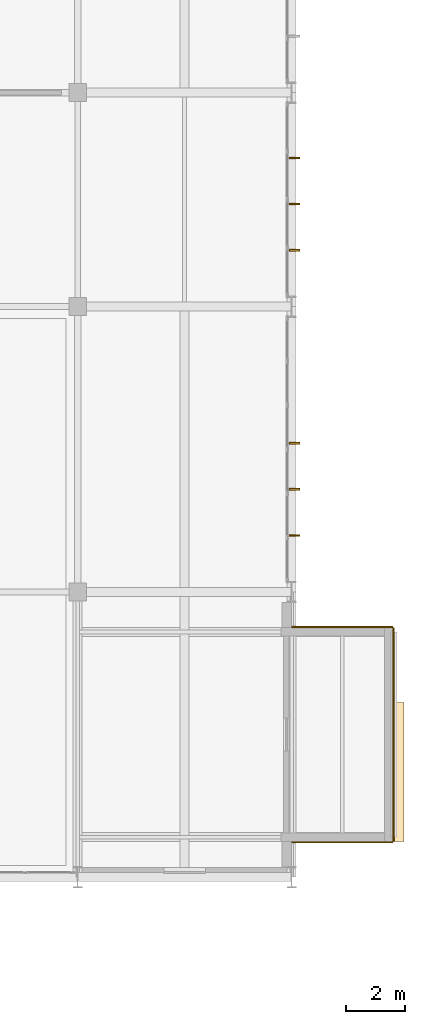
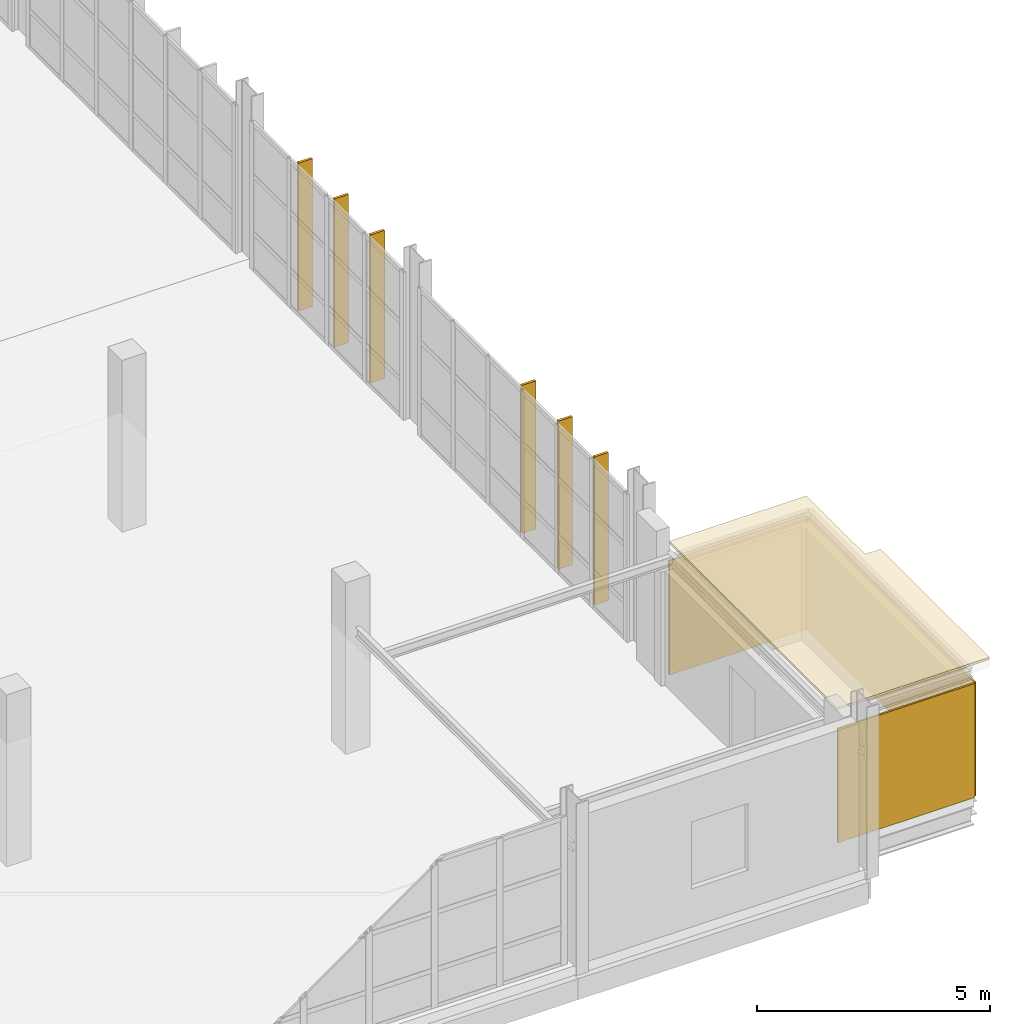
# One storey, part 111 of 113: 6 shading devices, 4 coverings.
"""IFC4 building model written with IfcOpenShell, lengths in metres."""

from ifc_helpers import new_model, si_unit, direction, frame, frame_2d, origin, origin_2d, place, context, subcontext, project, spatial, polyline, rectangle, outline, extrude, material, layer, layer_set, type_object, element, save


model = new_model("IFC4")

# Units and contexts
model_context = context("Model", 3, precision=1e-05, world=origin(), true_north=direction((0.0, 1.0)))
body_context = subcontext(model_context, "Body", "Model", "MODEL_VIEW")
ifc_project = project(units=[si_unit("LENGTHUNIT", "METRE"), si_unit("AREAUNIT", "SQUARE_METRE"), si_unit("VOLUMEUNIT", "CUBIC_METRE"), si_unit("PLANEANGLEUNIT", "RADIAN"), si_unit("MASSUNIT", "GRAM", prefix="KILO")], contexts=[model_context])

# Site, building, storey
site_placement = place(None, origin())
site = spatial("IfcSite", under=ifc_project, at=site_placement, CompositionType="ELEMENT")
building_placement = place(site_placement, origin())
building = spatial("IfcBuilding", under=site, at=building_placement, Name="Veltarok Museum of Natural Sciences", CompositionType="ELEMENT")
storey_placement = place(building_placement, frame((0.0, 0.0, 8.39990234375)))
storey = spatial("IfcBuildingStorey", under=building, at=storey_placement, Name="L01", CompositionType="ELEMENT", Elevation=8.39990234375)

# Coverings
ifc_material_1 = material(Name="Corrugated zinc cladding")
ifc_layer_1 = layer(ifc_material_1, 0.044921875)
ifc_layer_set_1 = layer_set([ifc_layer_1], Name="Corrugated zinc cladding")
covering_type_1 = type_object("IfcCoveringType", Name="Corrugated Titanium-Zinc Rainscreen Cladding 45", PredefinedType="CLADDING", material=ifc_layer_set_1)
covering_1_placement = place(storey_placement, frame((168.221923828125, 1.199951171875, 0.0), z_axis=(0.0, 0.0, 1.0), x_axis=(0.0, 1.0, 0.0)))
element("IfcCovering", 1, at=covering_1_placement, inside=storey, type_object=covering_type_1, Name="Corrugated Zinc Cladding DB-30-E", PredefinedType="CLADDING", context=body_context, shape_type="SweptSolid", body=[
    extrude(rectangle(XDim=7.199951171875, YDim=0.044921875, at=frame_2d((3.60009765625, 0.0))), origin(), (0.0, 0.0, 1.0), 2.989990234375),
])
for number, where, z_axis, x_axis, name in (
    (2, (164.800048828125, 1.177978515625, 0.0), (0.0, 0.0, 1.0), (1.0, 0.0, 0.0), "Corrugated Zinc Cladding DB-30-S"),
    (3, (168.199951171875, 8.422119140625, 0.0), (0.0, 0.0, 1.0), (-1.0, 0.0, 0.0), "Corrugated Zinc Cladding DB-30-N"),
):
    element("IfcCovering", number, at=place(storey_placement, frame(where, z_axis=z_axis, x_axis=x_axis)), inside=storey, type_object=covering_type_1, Name=name, PredefinedType="CLADDING", context=body_context, shape_type="SweptSolid", body=[
        extrude(rectangle(XDim=3.39990234375, YDim=0.044921875, at=frame_2d((1.699951171875, 0.0))), origin(), (0.0, 0.0, 1.0), 2.989990234375),
    ])
ifc_material_2 = material(Name="EPDM waterproofing membrane")
ifc_layer_2 = layer(ifc_material_2, 0.06005859375)
ifc_layer_set_2 = layer_set([ifc_layer_2], Name="EPDM waterproofing membrane")
covering_type_2 = type_object("IfcCoveringType", Name="EPDM Waterproofing and Acoustic Roof Membrane 60", PredefinedType="ROOFING", material=ifc_layer_set_2)
covering_2_placement = place(storey_placement, frame((0.0, 0.0, 3.4501953125)))
element("IfcCovering", 4, at=covering_2_placement, inside=storey, type_object=covering_type_2, Name="Cabinet Box Roof Membrane DB-30", PredefinedType="ROOFING", context=body_context, shape_type="SweptSolid", body=[
    extrude(outline(polyline([(164.800048828125, 1.199951171875), (168.580078125, 1.199951171875), (168.580078125, 5.8798828125), (168.199951171875, 5.8798828125), (168.199951171875, 8.39990234375), (164.800048828125, 8.39990234375), (164.800048828125, 1.199951171875)])), origin(), (0.0, 0.0, 1.0), 0.059814453125),
])

# Shading devices
ifc_material_3 = material(Name="Thermally broken anodised aluminium", Category="aluminium")
shading_device_type = type_object("IfcShadingDeviceType", Name="Vertical Anodised Aluminium Solar Shading Fin 350", PredefinedType="JALOUSIE", material=ifc_material_3)
for number, where, z_axis, x_axis, name in (
    (5, (164.889892578125, 11.5, 0.000244140625), (0.0, 0.0, 1.0), (1.0, 0.0, 0.0), "Solar Shading Fin L01 16"),
    (6, (164.889892578125, 13.050048828125, 0.000244140625), (0.0, 0.0, 1.0), (1.0, 0.0, 0.0), "Solar Shading Fin L01 17"),
    (7, (164.889892578125, 14.60009765625, 0.000244140625), (0.0, 0.0, 1.0), (1.0, 0.0, 0.0), "Solar Shading Fin L01 18"),
    (8, (164.889892578125, 21.10009765625, 0.000244140625), (0.0, 0.0, 1.0), (1.0, 0.0, 0.0), "Solar Shading Fin L01 19"),
    (9, (164.889892578125, 22.64990234375, 0.000244140625), (0.0, 0.0, 1.0), (1.0, 0.0, 0.0), "Solar Shading Fin L01 20"),
    (10, (164.889892578125, 24.199951171875, 0.000244140625), (0.0, 0.0, 1.0), (1.0, 0.0, 0.0), "Solar Shading Fin L01 21"),
):
    element("IfcShadingDevice", number, at=place(storey_placement, frame(where, z_axis=z_axis, x_axis=x_axis)), inside=storey, type_object=shading_device_type, Name=name, PredefinedType="JALOUSIE", context=body_context, shape_type="SweptSolid", body=[
        extrude(rectangle(XDim=0.35009765625, YDim=0.06005859375, at=origin_2d()), origin(), (0.0, 0.0, 1.0), 3.8798828125),
    ])

save(model, "model.ifc")
